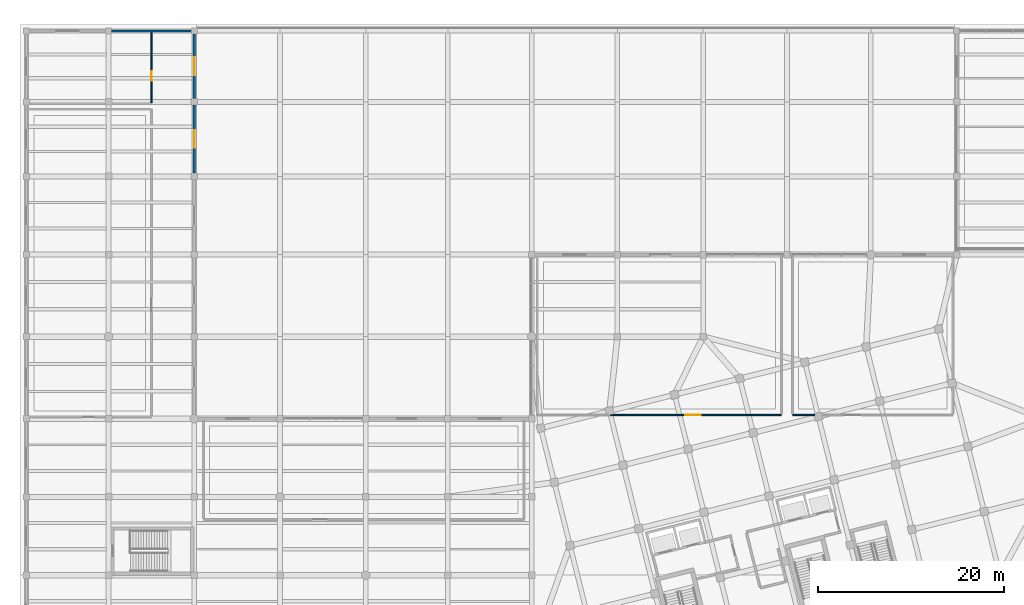
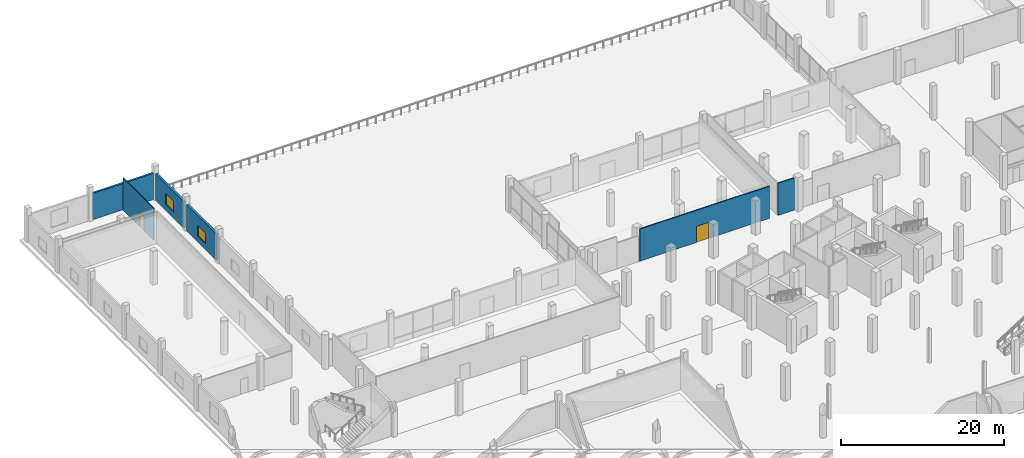
# One storey, part 62 of 73: 6 walls, 2 doors, 2 windows, 4 openings.
"""IFC4 building model written with IfcOpenShell, lengths in metres."""

from ifc_helpers import new_model, si_unit, direction, frame, frame_2d, origin, place, context, subcontext, project, spatial, rectangle, extrude, material, layer, layer_set, type_object, element, fill, save


model = new_model("IFC4")

# Units and contexts
model_context = context("Model", 3, precision=1e-05, world=origin(), true_north=direction((0.0, 1.0)))
body_context = subcontext(model_context, "Body", "Model", "MODEL_VIEW")
ifc_project = project(units=[si_unit("LENGTHUNIT", "METRE"), si_unit("AREAUNIT", "SQUARE_METRE"), si_unit("VOLUMEUNIT", "CUBIC_METRE"), si_unit("PLANEANGLEUNIT", "RADIAN"), si_unit("MASSUNIT", "GRAM", prefix="KILO")], contexts=[model_context])

# Site, building, storey
site_placement = place(None, origin())
site = spatial("IfcSite", under=ifc_project, at=site_placement, CompositionType="ELEMENT")
building_placement = place(site_placement, origin())
building = spatial("IfcBuilding", under=site, at=building_placement, Name="Meriwether Solvik Hall", CompositionType="ELEMENT")
storey_placement = place(building_placement, origin())
storey = spatial("IfcBuildingStorey", under=building, at=storey_placement, Name="L00", CompositionType="ELEMENT", Elevation=0.0)

# Wall
ifc_material_1 = material(Name="Terracotta Cladding on Concrete C40/50", Category="masonry")
ifc_layer_1 = layer(ifc_material_1, 0.2548828125)
ifc_layer_set_1 = layer_set([ifc_layer_1], Name="Terracotta Cladding on Concrete C40/50")
wall_type_1 = type_object("IfcWallType", Name="WALL-EXT-255", PredefinedType="SOLIDWALL", material=ifc_layer_set_1)
wall_1_placement = place(storey_placement, frame((14.3369140625, 116.800048828125, 0.0), z_axis=(0.0, 0.0, 1.0), x_axis=(1.0, 0.0, 0.0)))
element("IfcWall", 1, at=wall_1_placement, inside=storey, type_object=wall_type_1, Name="L00 N Wing Facade Wall XN_2_28", PredefinedType="SOLIDWALL", context=body_context, shape_type="SweptSolid", body=[
    extrude(rectangle(XDim=8.526123046875, YDim=0.2548828125, at=frame_2d((4.26318359375, 0.0))), origin(), (0.0, 0.0, 1.0), 3.93994140625),
])

# Wall, opening, window
ifc_material_2 = material(Name="Concrete C40/50 Precast", Category="concrete")
ifc_layer_2 = layer(ifc_material_2, 0.31494140625)
ifc_layer_set_2 = layer_set([ifc_layer_2], Name="Concrete C40/50 Precast")
wall_type_2 = type_object("IfcWallType", Name="WALL-EXT-315", PredefinedType="SOLIDWALL", material=ifc_layer_set_2)
wall_2_placement = place(storey_placement, frame((23.199951171875, 108.837890625, 0.0), z_axis=(0.0, 0.0, 1.0), x_axis=(0.0, -1.0, 0.0)))
wall_2 = element("IfcWall", 2, at=wall_2_placement, inside=storey, type_object=wall_type_2, Name="L00 E Wing Facade Wall Y3_12_52", PredefinedType="SOLIDWALL", context=body_context, shape_type="SweptSolid", body=[
    extrude(rectangle(XDim=7.27587890625, YDim=0.31494140625, at=frame_2d((3.637939453125, 0.0))), origin(), (0.0, 0.0, 1.0), 3.93994140625),
])
opening_1_placement = place(wall_2_placement, frame((2.68798828125, 0.0, 0.89990234375)))
opening_1 = element("IfcOpeningElement", 3, at=opening_1_placement, cuts=wall_2, Name="Opening WN-119", PredefinedType="OPENING", context=body_context, shape_type="SweptSolid", body=[
    extrude(rectangle(XDim=1.89990234375, YDim=1.60009765625, at=frame_2d((0.949951171875, 0.800048828125))), frame((0.0, 0.16943359375, 0.0), z_axis=(0.0, -1.0, 0.0), x_axis=(1.0, 0.0, 0.0)), (0.0, 0.0, 1.0), 0.3388671875),
])
ifc_material_3 = material(Name="Thermally Broken Anodised Aluminium and Triple Low-E Glass", Category="aluminium")
window_type = type_object("IfcWindowType", Name="WIN-NURS-190X160", PartitioningType="SINGLE_PANEL", PredefinedType="WINDOW", material=ifc_material_3)
window_1_placement = place(opening_1_placement, origin())
window_1 = element("IfcWindow", 4, at=window_1_placement, inside=storey, type_object=window_type, Name="L00 E Window Y3_12_52", OverallHeight=1.60009765625, OverallWidth=1.89990234375, PartitioningType="SINGLE_PANEL", PredefinedType="WINDOW", context=body_context, shape_type="SweptSolid", body=[
    extrude(rectangle(XDim=1.89990234375, YDim=1.60009765625, at=frame_2d((0.949951171875, 0.800048828125))), frame((0.0, 0.030029296875, 0.0), z_axis=(0.0, -1.0, 0.0), x_axis=(1.0, 0.0, 0.0)), (0.0, 0.0, 1.0), 0.06005859375),
])
fill(opening_1, window_1)

wall_3_placement = place(storey_placement, frame((23.199951171875, 116.462890625, 0.0), z_axis=(0.0, 0.0, 1.0), x_axis=(0.0, -1.0, 0.0)))
wall_3 = element("IfcWall", 5, at=wall_3_placement, inside=storey, type_object=wall_type_2, Name="L00 E Wing Facade Wall Y3_13_53", PredefinedType="SOLIDWALL", context=body_context, shape_type="SweptSolid", body=[
    extrude(rectangle(XDim=6.90087890625, YDim=0.31494140625, at=frame_2d((3.450439453125, 0.0))), origin(), (0.0, 0.0, 1.0), 3.93994140625),
])
opening_2_placement = place(wall_3_placement, frame((2.50048828125, 0.0, 0.89990234375)))
opening_2 = element("IfcOpeningElement", 6, at=opening_2_placement, cuts=wall_3, Name="Opening WN-119", PredefinedType="OPENING", context=body_context, shape_type="SweptSolid", body=[
    extrude(rectangle(XDim=1.89990234375, YDim=1.60009765625, at=frame_2d((0.949951171875, 0.800048828125))), frame((0.0, 0.16943359375, 0.0), z_axis=(0.0, -1.0, 0.0), x_axis=(1.0, 0.0, 0.0)), (0.0, 0.0, 1.0), 0.3388671875),
])
window_2_placement = place(opening_2_placement, origin())
window_2 = element("IfcWindow", 7, at=window_2_placement, inside=storey, type_object=window_type, Name="L00 E Window Y3_13_53", OverallHeight=1.60009765625, OverallWidth=1.89990234375, PartitioningType="SINGLE_PANEL", PredefinedType="WINDOW", context=body_context, shape_type="SweptSolid", body=[
    extrude(rectangle(XDim=1.89990234375, YDim=1.60009765625, at=frame_2d((0.949951171875, 0.800048828125))), frame((0.0, 0.030029296875, 0.0), z_axis=(0.0, -1.0, 0.0), x_axis=(1.0, 0.0, 0.0)), (0.0, 0.0, 1.0), 0.06005859375),
])
fill(opening_2, window_2)

# Wall, opening, door
ifc_material_4 = material(Name="Gypsum Board Partition", Category="gypsum")
ifc_layer_3 = layer(ifc_material_4, 0.14990234375)
ifc_layer_set_3 = layer_set([ifc_layer_3], Name="Gypsum Board Partition")
wall_type_3 = type_object("IfcWallType", Name="WALL-PART-150", PredefinedType="PARTITIONING", material=ifc_layer_set_3)
wall_4_placement = place(storey_placement, frame((86.199951171875, 75.60009765625, 0.0), z_axis=(0.0, 0.0, 1.0), x_axis=(-1.0, 0.0, 0.0)))
wall_4 = element("IfcWall", 8, at=wall_4_placement, inside=storey, type_object=wall_type_3, Name="L00 Interior Partition civ_gal_s", PredefinedType="PARTITIONING", context=body_context, shape_type="SweptSolid", body=[
    extrude(rectangle(XDim=18.355712890625, YDim=0.14990234375, at=frame_2d((9.177734375, 0.0))), origin(), (0.0, 0.0, 1.0), 4.800048828125),
])
opening_3_placement = place(wall_4_placement, frame((8.6416015625, 0.0, 0.0)))
opening_3 = element("IfcOpeningElement", 9, at=opening_3_placement, cuts=wall_4, Name="Opening D-114", PredefinedType="OPENING", context=body_context, shape_type="SweptSolid", body=[
    extrude(rectangle(XDim=1.699951171875, YDim=2.39990234375, at=frame_2d((0.85009765625, 1.199951171875))), frame((0.0, 0.0869140625, 0.0), z_axis=(0.0, -1.0, 0.0), x_axis=(1.0, 0.0, 0.0)), (0.0, 0.0, 1.0), 0.173828125),
])
ifc_material_5 = material(Name="Laminated Vision Glass and Solid White Oak Timber", Category="wood")
door_type_1 = type_object("IfcDoorType", Name="DR-GAL-1700", OperationType="DOUBLE_DOOR_SINGLE_SWING", PredefinedType="DOOR", material=ifc_material_5)
door_1_placement = place(opening_3_placement, origin())
door_1 = element("IfcDoor", 10, at=door_1_placement, inside=storey, type_object=door_type_1, Name="Civic Reception Gallery Door", OperationType="DOUBLE_DOOR_SINGLE_SWING", OverallHeight=2.39990234375, OverallWidth=1.699951171875, PredefinedType="DOOR", context=body_context, shape_type="SweptSolid", body=[
    extrude(rectangle(XDim=1.699951171875, YDim=2.39990234375, at=frame_2d((0.85009765625, 1.199951171875))), frame((0.0, 0.02490234375, 0.0), z_axis=(0.0, -1.0, 0.0), x_axis=(1.0, 0.0, 0.0)), (0.0, 0.0, 1.0), 0.050048828125),
])
fill(opening_3, door_1)

# Wall
wall_5_placement = place(storey_placement, frame((87.39990234375, 75.60009765625, 0.0), z_axis=(0.0, 0.0, 1.0), x_axis=(1.0, 0.0, 0.0)))
element("IfcWall", 11, at=wall_5_placement, inside=storey, type_object=wall_type_3, Name="L00 Interior Partition svc_hub_s", PredefinedType="PARTITIONING", context=body_context, shape_type="SweptSolid", body=[
    extrude(rectangle(XDim=2.352294921875, YDim=0.14990234375, at=frame_2d((1.17626953125, 0.0))), origin(), (0.0, 0.0, 1.0), 4.800048828125),
])

# Wall, opening, door
ifc_material_6 = material(Name="Moisture-Resistant Gypsum Board", Category="gypsum")
ifc_layer_4 = layer(ifc_material_6, 0.139892578125)
ifc_layer_set_4 = layer_set([ifc_layer_4], Name="Moisture-Resistant Gypsum Board")
wall_type_4 = type_object("IfcWallType", Name="WALL-WET-140", PredefinedType="PLUMBINGWALL", material=ifc_layer_set_4)
wall_6_placement = place(storey_placement, frame((18.60009765625, 109.1201171875, 0.0), z_axis=(0.0, 0.0, 1.0), x_axis=(0.0, 1.0, 0.0)))
wall_6 = element("IfcWall", 12, at=wall_6_placement, inside=storey, type_object=wall_type_4, Name="L00 Interior Partition nursery_wc_e", PredefinedType="PLUMBINGWALL", context=body_context, shape_type="SweptSolid", body=[
    extrude(rectangle(XDim=7.52978515625, YDim=0.139892578125, at=frame_2d((3.764892578125, 0.0))), origin(), (0.0, 0.0, 1.0), 4.800048828125),
])
opening_4_placement = place(wall_6_placement, frame((2.351318359375, 0.0, 0.0)))
opening_4 = element("IfcOpeningElement", 13, at=opening_4_placement, cuts=wall_6, Name="Opening D-140", PredefinedType="OPENING", context=body_context, shape_type="SweptSolid", body=[
    extrude(rectangle(XDim=1.0, YDim=2.14990234375, at=frame_2d((0.5, 1.074951171875))), frame((0.0, 0.08203125, 0.0), z_axis=(0.0, -1.0, 0.0), x_axis=(1.0, 0.0, 0.0)), (0.0, 0.0, 1.0), 0.163818359375),
])
ifc_material_7 = material(Name="Solid-Core Rift White Oak Timber", Category="wood")
door_type_2 = type_object("IfcDoorType", Name="DR-ACC-1000L", OperationType="SINGLE_SWING_LEFT", PredefinedType="DOOR", material=ifc_material_7)
door_2_placement = place(opening_4_placement, origin())
door_2 = element("IfcDoor", 14, at=door_2_placement, inside=storey, type_object=door_type_2, Name="Nursery Children Restroom Door", OperationType="SINGLE_SWING_LEFT", OverallHeight=2.14990234375, OverallWidth=1.0, PredefinedType="DOOR", context=body_context, shape_type="SweptSolid", body=[
    extrude(rectangle(XDim=1.0, YDim=2.14990234375, at=frame_2d((0.5, 1.074951171875))), frame((0.0, 0.02490234375, 0.0), z_axis=(0.0, -1.0, 0.0), x_axis=(1.0, 0.0, 0.0)), (0.0, 0.0, 1.0), 0.050048828125),
])
fill(opening_4, door_2)

save(model, "model.ifc")
